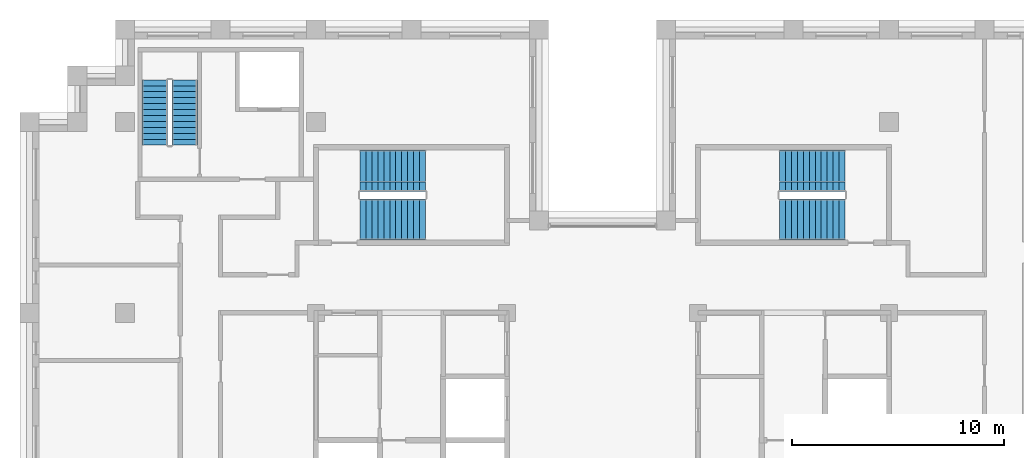
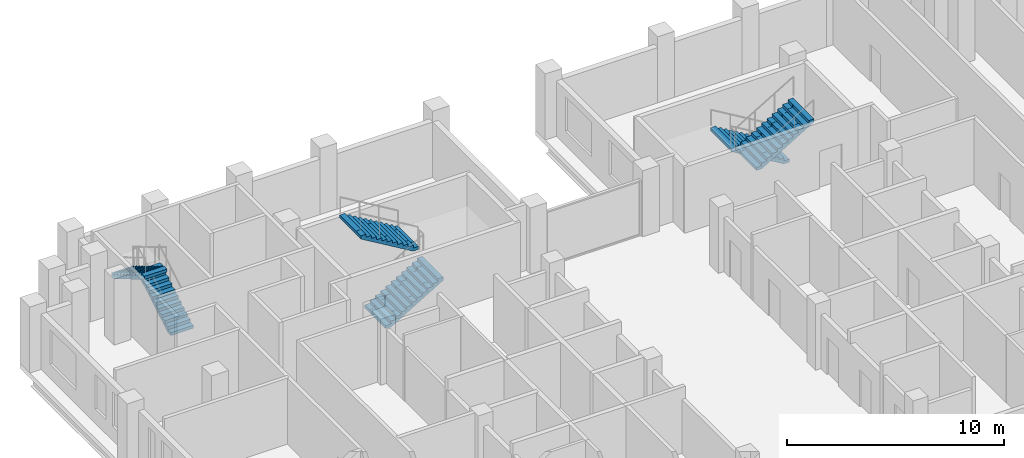
# One storey, part 12 of 13: 6 stair flights, 3 elements without a shape of their own.
"""IFC4 building model written with IfcOpenShell, lengths in metres."""

from ifc_helpers import new_model, si_unit, direction, frame, origin, place, context, subcontext, project, spatial, polyline, outline, extrude, material, type_object, element, aggregate, save


model = new_model("IFC4")

# Units and contexts
model_context = context("Model", 3, precision=1e-05, world=origin(), true_north=direction((0.0, 1.0)))
body_context = subcontext(model_context, "Body", "Model", "MODEL_VIEW")
ifc_project = project(units=[si_unit("LENGTHUNIT", "METRE"), si_unit("AREAUNIT", "SQUARE_METRE"), si_unit("VOLUMEUNIT", "CUBIC_METRE"), si_unit("PLANEANGLEUNIT", "RADIAN"), si_unit("MASSUNIT", "GRAM", prefix="KILO")], contexts=[model_context])

# Site, building, storey
site_placement = place(None, origin())
site = spatial("IfcSite", under=ifc_project, at=site_placement, CompositionType="ELEMENT")
building_placement = place(site_placement, origin())
building = spatial("IfcBuilding", under=site, at=building_placement, Name="Corbelhall Arena Tower", CompositionType="ELEMENT")
storey_placement = place(building_placement, frame((0.0, 0.0, 274.0)))
storey = spatial("IfcBuildingStorey", under=building, at=storey_placement, Name="L59", CompositionType="ELEMENT", Elevation=274.0)

# Stair, stair flights
ifc_material = material(Name="Concrete C40/50", Category="concrete")
stair_type = type_object("IfcStairType", Name="IN-ST-TOWER", PredefinedType="HALF_TURN_STAIR", material=ifc_material)
stair_1_placement = place(storey_placement, origin())
stair_1 = element("IfcStair", 1, at=stair_1_placement, inside=storey, type_object=stair_type, Name="L59 Exit stair ST1", PredefinedType="HALF_TURN_STAIR")
stair_flight_type = type_object("IfcStairFlightType", Name="IN-SFL-RC", PredefinedType="STRAIGHT", material=ifc_material)
stair_flight_1_placement = place(storey_placement, frame((-11.425048828125, 13.39990234375, 0.0), z_axis=(0.0, 0.0, 1.0), x_axis=(1.0, 0.0, 0.0)))
stair_flight_1 = element("IfcStairFlight", 2, at=stair_flight_1_placement, type_object=stair_flight_type, Name="ST1 flight 1", NumberOfRisers=12, NumberOfTreads=11, PredefinedType="STRAIGHT", RiserHeight=0.166666667, TreadLength=0.28, context=body_context, shape_type="SweptSolid", body=[
    extrude(outline(polyline([(0.0, 0.0), (0.0, 0.166748046875), (0.280029296875, 0.166748046875), (0.280029296875, 0.333251953125), (0.56005859375, 0.333251953125), (0.56005859375, 0.5), (0.840087890625, 0.5), (0.840087890625, 0.666748046875), (1.1201171875, 0.666748046875), (1.1201171875, 0.833251953125), (1.39990234375, 0.833251953125), (1.39990234375, 1.0), (1.679931640625, 1.0), (1.679931640625, 1.166748046875), (1.9599609375, 1.166748046875), (1.9599609375, 1.333251953125), (2.239990234375, 1.333251953125), (2.239990234375, 1.5), (2.52001953125, 1.5), (2.52001953125, 1.666748046875), (2.800048828125, 1.666748046875), (2.800048828125, 1.833251953125), (3.080078125, 1.833251953125), (3.080078125, 2.0), (3.080078125, 1.658935546875), (0.29296875, 0.0), (0.0, 0.0)])), frame((0.0, 0.97509765625, 0.0), z_axis=(0.0, -1.0, 0.0), x_axis=(1.0, 0.0, 0.0)), (0.0, 0.0, 1.0), 0.449951171875),
    extrude(outline(polyline([(0.0, 0.0), (0.0, 0.166748046875), (0.280029296875, 0.166748046875), (0.280029296875, 0.333251953125), (0.56005859375, 0.333251953125), (0.56005859375, 0.5), (0.840087890625, 0.5), (0.840087890625, 0.666748046875), (1.1201171875, 0.666748046875), (1.1201171875, 0.833251953125), (1.39990234375, 0.833251953125), (1.39990234375, 1.0), (1.679931640625, 1.0), (1.679931640625, 1.166748046875), (1.9599609375, 1.166748046875), (1.9599609375, 1.333251953125), (2.239990234375, 1.333251953125), (2.239990234375, 1.5), (2.52001953125, 1.5), (2.52001953125, 1.666748046875), (2.800048828125, 1.666748046875), (2.800048828125, 1.833251953125), (3.080078125, 1.833251953125), (3.080078125, 2.0), (3.080078125, 1.658935546875), (0.29296875, 0.0), (0.0, 0.0)])), frame((0.0, 0.52099609375, 0.0), z_axis=(0.0, -1.0, 0.0), x_axis=(1.0, 0.0, 0.0)), (0.0, 0.0, 1.0), 1.0419921875),
    extrude(outline(polyline([(0.0, 0.0), (0.0, 0.166748046875), (0.280029296875, 0.166748046875), (0.280029296875, 0.333251953125), (0.56005859375, 0.333251953125), (0.56005859375, 0.5), (0.840087890625, 0.5), (0.840087890625, 0.666748046875), (1.1201171875, 0.666748046875), (1.1201171875, 0.833251953125), (1.39990234375, 0.833251953125), (1.39990234375, 1.0), (1.679931640625, 1.0), (1.679931640625, 1.166748046875), (1.9599609375, 1.166748046875), (1.9599609375, 1.333251953125), (2.239990234375, 1.333251953125), (2.239990234375, 1.5), (2.52001953125, 1.5), (2.52001953125, 1.666748046875), (2.800048828125, 1.666748046875), (2.800048828125, 1.833251953125), (3.080078125, 1.833251953125), (3.080078125, 2.0), (3.080078125, 1.658935546875), (0.29296875, 0.0), (0.0, 0.0)])), frame((0.0, -0.52490234375, 0.0), z_axis=(0.0, -1.0, 0.0), x_axis=(1.0, 0.0, 0.0)), (0.0, 0.0, 1.0), 0.449951171875),
])
stair_flight_2_placement = place(storey_placement, frame((-8.344970703125, 15.699951171875, 2.0), z_axis=(0.0, 0.0, 1.0), x_axis=(-1.0, 0.0, 0.0)))
stair_flight_2 = element("IfcStairFlight", 3, at=stair_flight_2_placement, type_object=stair_flight_type, Name="ST1 flight 2", NumberOfRisers=12, NumberOfTreads=11, PredefinedType="STRAIGHT", RiserHeight=0.166666667, TreadLength=0.28, context=body_context, shape_type="SweptSolid", body=[
    extrude(outline(polyline([(0.0, 0.0), (0.0, 0.166748046875), (0.280029296875, 0.166748046875), (0.280029296875, 0.333251953125), (0.56005859375, 0.333251953125), (0.56005859375, 0.5), (0.840087890625, 0.5), (0.840087890625, 0.666748046875), (1.1201171875, 0.666748046875), (1.1201171875, 0.833251953125), (1.39990234375, 0.833251953125), (1.39990234375, 1.0), (1.679931640625, 1.0), (1.679931640625, 1.166748046875), (1.9599609375, 1.166748046875), (1.9599609375, 1.333251953125), (2.239990234375, 1.333251953125), (2.239990234375, 1.5), (2.52001953125, 1.5), (2.52001953125, 1.666748046875), (2.800048828125, 1.666748046875), (2.800048828125, 1.833251953125), (3.080078125, 1.833251953125), (3.080078125, 2.0), (3.080078125, 1.658935546875), (0.29296875, 0.0), (0.0, 0.0)])), frame((0.0, 0.97509765625, 0.0), z_axis=(0.0, -1.0, 0.0), x_axis=(1.0, 0.0, 0.0)), (0.0, 0.0, 1.0), 0.449951171875),
    extrude(outline(polyline([(0.0, 0.0), (0.0, 0.166748046875), (0.280029296875, 0.166748046875), (0.280029296875, 0.333251953125), (0.56005859375, 0.333251953125), (0.56005859375, 0.5), (0.840087890625, 0.5), (0.840087890625, 0.666748046875), (1.1201171875, 0.666748046875), (1.1201171875, 0.833251953125), (1.39990234375, 0.833251953125), (1.39990234375, 1.0), (1.679931640625, 1.0), (1.679931640625, 1.166748046875), (1.9599609375, 1.166748046875), (1.9599609375, 1.333251953125), (2.239990234375, 1.333251953125), (2.239990234375, 1.5), (2.52001953125, 1.5), (2.52001953125, 1.666748046875), (2.800048828125, 1.666748046875), (2.800048828125, 1.833251953125), (3.080078125, 1.833251953125), (3.080078125, 2.0), (3.080078125, 1.658935546875), (0.29296875, 0.0), (0.0, 0.0)])), frame((0.0, 0.52099609375, 0.0), z_axis=(0.0, -1.0, 0.0), x_axis=(1.0, 0.0, 0.0)), (0.0, 0.0, 1.0), 1.0419921875),
    extrude(outline(polyline([(0.0, 0.0), (0.0, 0.166748046875), (0.280029296875, 0.166748046875), (0.280029296875, 0.333251953125), (0.56005859375, 0.333251953125), (0.56005859375, 0.5), (0.840087890625, 0.5), (0.840087890625, 0.666748046875), (1.1201171875, 0.666748046875), (1.1201171875, 0.833251953125), (1.39990234375, 0.833251953125), (1.39990234375, 1.0), (1.679931640625, 1.0), (1.679931640625, 1.166748046875), (1.9599609375, 1.166748046875), (1.9599609375, 1.333251953125), (2.239990234375, 1.333251953125), (2.239990234375, 1.5), (2.52001953125, 1.5), (2.52001953125, 1.666748046875), (2.800048828125, 1.666748046875), (2.800048828125, 1.833251953125), (3.080078125, 1.833251953125), (3.080078125, 2.0), (3.080078125, 1.658935546875), (0.29296875, 0.0), (0.0, 0.0)])), frame((0.0, -0.52490234375, 0.0), z_axis=(0.0, -1.0, 0.0), x_axis=(1.0, 0.0, 0.0)), (0.0, 0.0, 1.0), 0.449951171875),
])
aggregate(stair_1, [stair_flight_1, stair_flight_2])

stair_2_placement = place(storey_placement, origin())
stair_2 = element("IfcStair", 4, at=stair_2_placement, inside=storey, type_object=stair_type, Name="L59 Exit stair ST3", PredefinedType="HALF_TURN_STAIR")
stair_flight_3_placement = place(storey_placement, frame((11.425048828125, 15.699951171875, 0.0), z_axis=(0.0, 0.0, 1.0), x_axis=(-1.0, 0.0, 0.0)))
stair_flight_3 = element("IfcStairFlight", 5, at=stair_flight_3_placement, type_object=stair_flight_type, Name="ST3 flight 1", NumberOfRisers=12, NumberOfTreads=11, PredefinedType="STRAIGHT", RiserHeight=0.166666667, TreadLength=0.28, context=body_context, shape_type="SweptSolid", body=[
    extrude(outline(polyline([(0.0, 0.0), (0.0, 0.166748046875), (0.280029296875, 0.166748046875), (0.280029296875, 0.333251953125), (0.56005859375, 0.333251953125), (0.56005859375, 0.5), (0.840087890625, 0.5), (0.840087890625, 0.666748046875), (1.1201171875, 0.666748046875), (1.1201171875, 0.833251953125), (1.39990234375, 0.833251953125), (1.39990234375, 1.0), (1.679931640625, 1.0), (1.679931640625, 1.166748046875), (1.9599609375, 1.166748046875), (1.9599609375, 1.333251953125), (2.239990234375, 1.333251953125), (2.239990234375, 1.5), (2.52001953125, 1.5), (2.52001953125, 1.666748046875), (2.800048828125, 1.666748046875), (2.800048828125, 1.833251953125), (3.080078125, 1.833251953125), (3.080078125, 2.0), (3.080078125, 1.658935546875), (0.29296875, 0.0), (0.0, 0.0)])), frame((0.0, 0.97509765625, 0.0), z_axis=(0.0, -1.0, 0.0), x_axis=(1.0, 0.0, 0.0)), (0.0, 0.0, 1.0), 0.449951171875),
    extrude(outline(polyline([(0.0, 0.0), (0.0, 0.166748046875), (0.280029296875, 0.166748046875), (0.280029296875, 0.333251953125), (0.56005859375, 0.333251953125), (0.56005859375, 0.5), (0.840087890625, 0.5), (0.840087890625, 0.666748046875), (1.1201171875, 0.666748046875), (1.1201171875, 0.833251953125), (1.39990234375, 0.833251953125), (1.39990234375, 1.0), (1.679931640625, 1.0), (1.679931640625, 1.166748046875), (1.9599609375, 1.166748046875), (1.9599609375, 1.333251953125), (2.239990234375, 1.333251953125), (2.239990234375, 1.5), (2.52001953125, 1.5), (2.52001953125, 1.666748046875), (2.800048828125, 1.666748046875), (2.800048828125, 1.833251953125), (3.080078125, 1.833251953125), (3.080078125, 2.0), (3.080078125, 1.658935546875), (0.29296875, 0.0), (0.0, 0.0)])), frame((0.0, 0.52099609375, 0.0), z_axis=(0.0, -1.0, 0.0), x_axis=(1.0, 0.0, 0.0)), (0.0, 0.0, 1.0), 1.0419921875),
    extrude(outline(polyline([(0.0, 0.0), (0.0, 0.166748046875), (0.280029296875, 0.166748046875), (0.280029296875, 0.333251953125), (0.56005859375, 0.333251953125), (0.56005859375, 0.5), (0.840087890625, 0.5), (0.840087890625, 0.666748046875), (1.1201171875, 0.666748046875), (1.1201171875, 0.833251953125), (1.39990234375, 0.833251953125), (1.39990234375, 1.0), (1.679931640625, 1.0), (1.679931640625, 1.166748046875), (1.9599609375, 1.166748046875), (1.9599609375, 1.333251953125), (2.239990234375, 1.333251953125), (2.239990234375, 1.5), (2.52001953125, 1.5), (2.52001953125, 1.666748046875), (2.800048828125, 1.666748046875), (2.800048828125, 1.833251953125), (3.080078125, 1.833251953125), (3.080078125, 2.0), (3.080078125, 1.658935546875), (0.29296875, 0.0), (0.0, 0.0)])), frame((0.0, -0.52490234375, 0.0), z_axis=(0.0, -1.0, 0.0), x_axis=(1.0, 0.0, 0.0)), (0.0, 0.0, 1.0), 0.449951171875),
])
stair_flight_4_placement = place(storey_placement, frame((8.344970703125, 13.39990234375, 2.0), z_axis=(0.0, 0.0, 1.0), x_axis=(1.0, 0.0, 0.0)))
stair_flight_4 = element("IfcStairFlight", 6, at=stair_flight_4_placement, type_object=stair_flight_type, Name="ST3 flight 2", NumberOfRisers=12, NumberOfTreads=11, PredefinedType="STRAIGHT", RiserHeight=0.166666667, TreadLength=0.28, context=body_context, shape_type="SweptSolid", body=[
    extrude(outline(polyline([(0.0, 0.0), (0.0, 0.166748046875), (0.280029296875, 0.166748046875), (0.280029296875, 0.333251953125), (0.56005859375, 0.333251953125), (0.56005859375, 0.5), (0.840087890625, 0.5), (0.840087890625, 0.666748046875), (1.1201171875, 0.666748046875), (1.1201171875, 0.833251953125), (1.39990234375, 0.833251953125), (1.39990234375, 1.0), (1.679931640625, 1.0), (1.679931640625, 1.166748046875), (1.9599609375, 1.166748046875), (1.9599609375, 1.333251953125), (2.239990234375, 1.333251953125), (2.239990234375, 1.5), (2.52001953125, 1.5), (2.52001953125, 1.666748046875), (2.800048828125, 1.666748046875), (2.800048828125, 1.833251953125), (3.080078125, 1.833251953125), (3.080078125, 2.0), (3.080078125, 1.658935546875), (0.29296875, 0.0), (0.0, 0.0)])), frame((0.0, 0.97509765625, 0.0), z_axis=(0.0, -1.0, 0.0), x_axis=(1.0, 0.0, 0.0)), (0.0, 0.0, 1.0), 0.449951171875),
    extrude(outline(polyline([(0.0, 0.0), (0.0, 0.166748046875), (0.280029296875, 0.166748046875), (0.280029296875, 0.333251953125), (0.56005859375, 0.333251953125), (0.56005859375, 0.5), (0.840087890625, 0.5), (0.840087890625, 0.666748046875), (1.1201171875, 0.666748046875), (1.1201171875, 0.833251953125), (1.39990234375, 0.833251953125), (1.39990234375, 1.0), (1.679931640625, 1.0), (1.679931640625, 1.166748046875), (1.9599609375, 1.166748046875), (1.9599609375, 1.333251953125), (2.239990234375, 1.333251953125), (2.239990234375, 1.5), (2.52001953125, 1.5), (2.52001953125, 1.666748046875), (2.800048828125, 1.666748046875), (2.800048828125, 1.833251953125), (3.080078125, 1.833251953125), (3.080078125, 2.0), (3.080078125, 1.658935546875), (0.29296875, 0.0), (0.0, 0.0)])), frame((0.0, 0.52099609375, 0.0), z_axis=(0.0, -1.0, 0.0), x_axis=(1.0, 0.0, 0.0)), (0.0, 0.0, 1.0), 1.0419921875),
    extrude(outline(polyline([(0.0, 0.0), (0.0, 0.166748046875), (0.280029296875, 0.166748046875), (0.280029296875, 0.333251953125), (0.56005859375, 0.333251953125), (0.56005859375, 0.5), (0.840087890625, 0.5), (0.840087890625, 0.666748046875), (1.1201171875, 0.666748046875), (1.1201171875, 0.833251953125), (1.39990234375, 0.833251953125), (1.39990234375, 1.0), (1.679931640625, 1.0), (1.679931640625, 1.166748046875), (1.9599609375, 1.166748046875), (1.9599609375, 1.333251953125), (2.239990234375, 1.333251953125), (2.239990234375, 1.5), (2.52001953125, 1.5), (2.52001953125, 1.666748046875), (2.800048828125, 1.666748046875), (2.800048828125, 1.833251953125), (3.080078125, 1.833251953125), (3.080078125, 2.0), (3.080078125, 1.658935546875), (0.29296875, 0.0), (0.0, 0.0)])), frame((0.0, -0.52490234375, 0.0), z_axis=(0.0, -1.0, 0.0), x_axis=(1.0, 0.0, 0.0)), (0.0, 0.0, 1.0), 0.449951171875),
])
aggregate(stair_2, [stair_flight_3, stair_flight_4])

stair_3_placement = place(storey_placement, origin())
stair_3 = element("IfcStair", 7, at=stair_3_placement, inside=storey, type_object=stair_type, Name="L59 Exit stair ST5", PredefinedType="HALF_TURN_STAIR")
stair_flight_5_placement = place(storey_placement, frame((-19.695068359375, 16.89990234375, 0.0), z_axis=(0.0, 0.0, 1.0), x_axis=(0.0, 1.0, 0.0)))
stair_flight_5 = element("IfcStairFlight", 8, at=stair_flight_5_placement, type_object=stair_flight_type, Name="ST5 flight 1", NumberOfRisers=12, NumberOfTreads=11, PredefinedType="STRAIGHT", RiserHeight=0.166666667, TreadLength=0.28, context=body_context, shape_type="SweptSolid", body=[
    extrude(outline(polyline([(0.0, 0.0), (0.0, 0.166748046875), (0.280029296875, 0.166748046875), (0.280029296875, 0.333251953125), (0.56005859375, 0.333251953125), (0.56005859375, 0.5), (0.840087890625, 0.5), (0.840087890625, 0.666748046875), (1.1201171875, 0.666748046875), (1.1201171875, 0.833251953125), (1.39990234375, 0.833251953125), (1.39990234375, 1.0), (1.679931640625, 1.0), (1.679931640625, 1.166748046875), (1.9599609375, 1.166748046875), (1.9599609375, 1.333251953125), (2.239990234375, 1.333251953125), (2.239990234375, 1.5), (2.52001953125, 1.5), (2.52001953125, 1.666748046875), (2.800048828125, 1.666748046875), (2.800048828125, 1.833251953125), (3.080078125, 1.833251953125), (3.080078125, 2.0), (3.080078125, 1.658935546875), (0.29296875, 0.0), (0.0, 0.0)])), frame((0.0, 0.60009765625, 0.0), z_axis=(0.0, -1.0, 0.0), x_axis=(1.0, 0.0, 0.0)), (0.0, 0.0, 1.0), 1.199951171875),
])
stair_flight_6_placement = place(storey_placement, frame((-21.094970703125, 19.97998046875, 2.0), z_axis=(0.0, 0.0, 1.0), x_axis=(0.0, -1.0, 0.0)))
stair_flight_6 = element("IfcStairFlight", 9, at=stair_flight_6_placement, type_object=stair_flight_type, Name="ST5 flight 2", NumberOfRisers=12, NumberOfTreads=11, PredefinedType="STRAIGHT", RiserHeight=0.166666667, TreadLength=0.28, context=body_context, shape_type="SweptSolid", body=[
    extrude(outline(polyline([(0.0, 0.0), (0.0, 0.166748046875), (0.280029296875, 0.166748046875), (0.280029296875, 0.333251953125), (0.56005859375, 0.333251953125), (0.56005859375, 0.5), (0.840087890625, 0.5), (0.840087890625, 0.666748046875), (1.1201171875, 0.666748046875), (1.1201171875, 0.833251953125), (1.39990234375, 0.833251953125), (1.39990234375, 1.0), (1.679931640625, 1.0), (1.679931640625, 1.166748046875), (1.9599609375, 1.166748046875), (1.9599609375, 1.333251953125), (2.239990234375, 1.333251953125), (2.239990234375, 1.5), (2.52001953125, 1.5), (2.52001953125, 1.666748046875), (2.800048828125, 1.666748046875), (2.800048828125, 1.833251953125), (3.080078125, 1.833251953125), (3.080078125, 2.0), (3.080078125, 1.658935546875), (0.29296875, 0.0), (0.0, 0.0)])), frame((0.0, 0.60009765625, 0.0), z_axis=(0.0, -1.0, 0.0), x_axis=(1.0, 0.0, 0.0)), (0.0, 0.0, 1.0), 1.199951171875),
])
aggregate(stair_3, [stair_flight_5, stair_flight_6])

save(model, "model.ifc")
